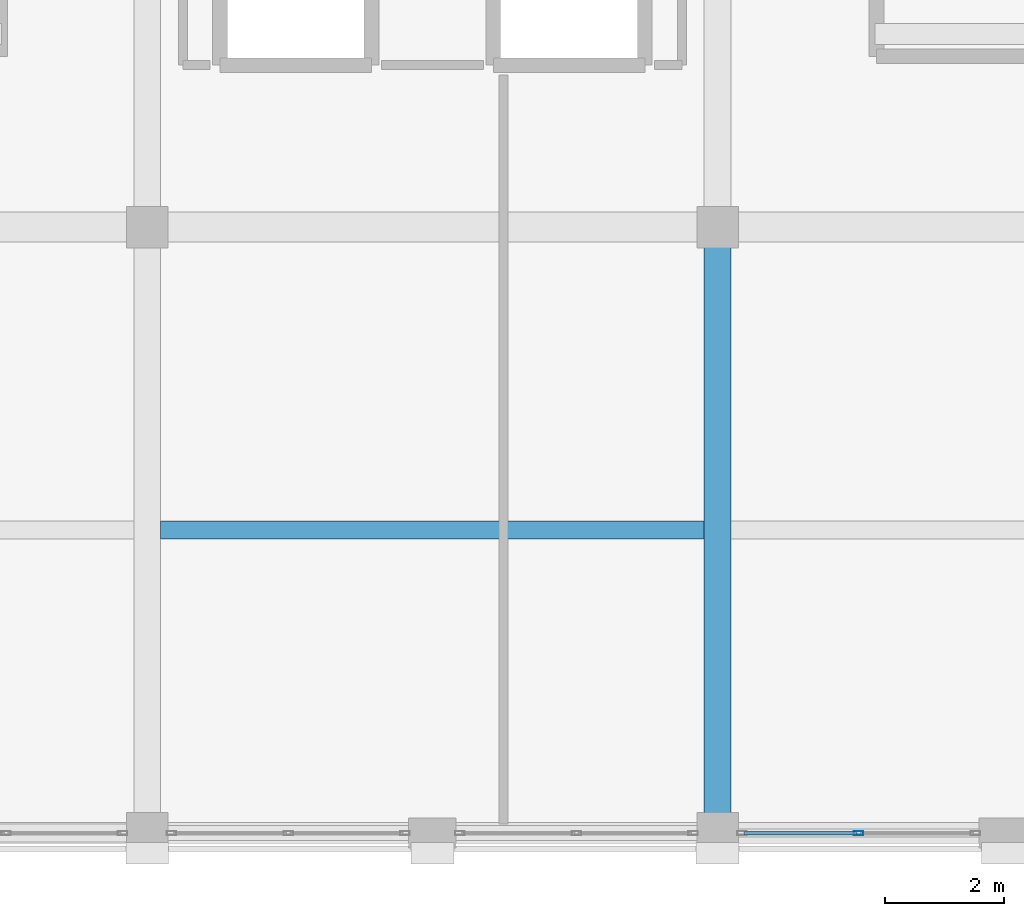
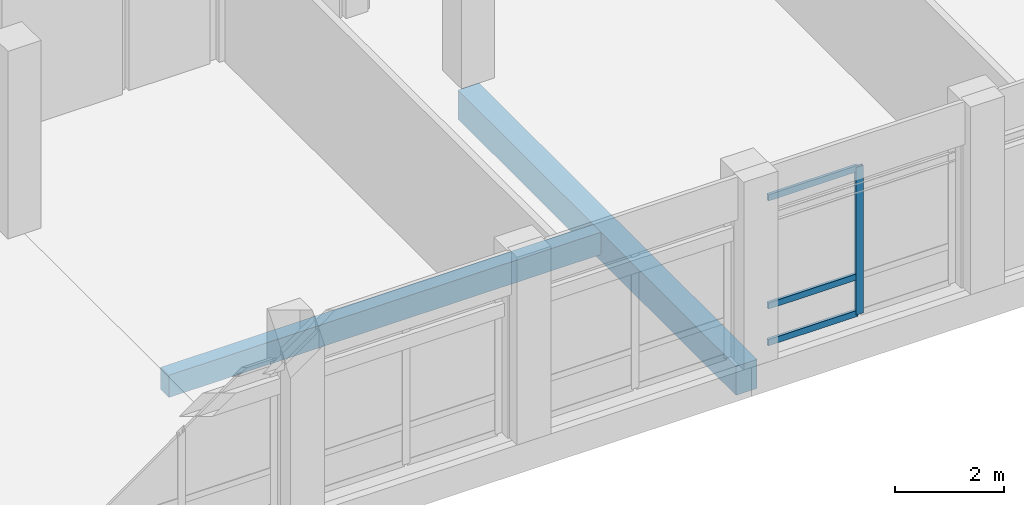
# One storey, part 23 of 185: 4 members, 2 beams, 1 element without a shape of its own.
"""IFC4 building model written with IfcOpenShell, lengths in metres."""

from ifc_helpers import new_model, si_unit, direction, frame, origin, origin_2d, place, context, subcontext, project, spatial, rectangle, hollow_rectangle, extrude, material, material_profile, profile_set, type_object, element, aggregate, save


model = new_model("IFC4")

# Units and contexts
model_context = context("Model", 3, precision=1e-05, world=origin(), true_north=direction((0.0, 1.0)))
body_context = subcontext(model_context, "Body", "Model", "MODEL_VIEW")
ifc_project = project(units=[si_unit("LENGTHUNIT", "METRE"), si_unit("AREAUNIT", "SQUARE_METRE"), si_unit("VOLUMEUNIT", "CUBIC_METRE"), si_unit("PLANEANGLEUNIT", "RADIAN"), si_unit("MASSUNIT", "GRAM", prefix="KILO")], contexts=[model_context])

# Site, building, storey
site_placement = place(None, origin())
site = spatial("IfcSite", under=ifc_project, at=site_placement, CompositionType="ELEMENT")
building_placement = place(site_placement, origin())
building = spatial("IfcBuilding", under=site, at=building_placement, Name="Vondelvale Polytechnic", CompositionType="ELEMENT")
storey_placement = place(building_placement, frame((0.0, 0.0, 9.60009765625)))
storey = spatial("IfcBuildingStorey", under=building, at=storey_placement, Name="L02", CompositionType="ELEMENT", Elevation=9.60009765625)

# Beam
ifc_material_1 = material(Name="Concrete N40 (f'c = 40 MPa)", Category="concrete")
ifc_material_profile_1 = material_profile(ifc_material_1, rectangle(XDim=0.449951171875, YDim=0.64990234375, at=origin_2d()), Name="RC-BM-450x650")
ifc_profile_set_1 = profile_set([ifc_material_profile_1], Name="Concrete N40 (f'c = 40 MPa)")
beam_type_1 = type_object("IfcBeamType", Name="BM-RC450x650", PredefinedType="BEAM", material=ifc_profile_set_1)
beam_1_placement = place(storey_placement, frame((28.800048828125, 0.0, -0.60498046875), z_axis=(0.0, 1.0, 0.0), x_axis=(-1.0, 0.0, 0.0)))
element("IfcBeam", 1, at=beam_1_placement, inside=storey, type_object=beam_type_1, Name="L02 B B-04", PredefinedType="BEAM", context=body_context, shape_type="SweptSolid", body=[
    extrude(rectangle(XDim=0.449951171875, YDim=0.64990234375, at=origin_2d()), origin(), (0.0, 0.0, 1.0), 10.199951171875),
])

# Curtain wall, members
ifc_material_2 = material(Name="Anodised extruded aluminium 6063-T6", Category="aluminium")
curtain_wall_type = type_object("IfcCurtainWallType", Name="CW-LIBRARY-BAY", PredefinedType="NOTDEFINED", material=ifc_material_2)
curtain_wall_placement = place(storey_placement, origin())
curtain_wall = element("IfcCurtainWall", 2, at=curtain_wall_placement, inside=storey, type_object=curtain_wall_type, Name="L02 architectural curtain wall CW-02-016", PredefinedType="NOTDEFINED")
ifc_material_profile_2 = material_profile(ifc_material_2, hollow_rectangle(XDim=0.06494140625, YDim=0.159912109375, WallThickness=0.0048828125, at=origin_2d()), Name="CW-MUL-160x65")
ifc_profile_set_2 = profile_set([ifc_material_profile_2], Name="Anodised extruded aluminium 6063-T6")
member_type_1 = type_object("IfcMemberType", Name="CW-MUL-65x160", PredefinedType="MULLION", material=ifc_profile_set_2)
member_1_placement = place(storey_placement, frame((31.175048828125, 0.0, 0.0), z_axis=(0.0, 0.0, 1.0), x_axis=(0.0, 1.0, 0.0)))
member_1 = element("IfcMember", 3, at=member_1_placement, type_object=member_type_1, Name="CW-02-016 mullion 2", PredefinedType="MULLION", context=body_context, shape_type="SweptSolid", body=[
    extrude(hollow_rectangle(XDim=0.06494140625, YDim=0.159912109375, WallThickness=0.0048828125, at=origin_2d()), origin(), (0.0, 0.0, 1.0), 3.2998046875),
])
ifc_material_profile_3 = material_profile(ifc_material_2, hollow_rectangle(XDim=0.06005859375, YDim=0.139892578125, WallThickness=0.00341796875, at=origin_2d()), Name="CW-TRN-140x60")
ifc_profile_set_3 = profile_set([ifc_material_profile_3], Name="Anodised extruded aluminium 6063-T6")
member_type_2 = type_object("IfcMemberType", Name="CW-TRN-60x140", PredefinedType="USERDEFINED", material=ifc_profile_set_3)
member_2_placement = place(storey_placement, frame((29.2451171875, 0.0, 0.02978515625), z_axis=(1.0, 0.0, 0.0), x_axis=(0.0, 1.0, 0.0)))
member_2 = element("IfcMember", 4, at=member_2_placement, type_object=member_type_2, Name="CW-02-016 transom 1.1", ObjectType="TRANSOM", PredefinedType="USERDEFINED", context=body_context, shape_type="SweptSolid", body=[
    extrude(hollow_rectangle(XDim=0.06005859375, YDim=0.139892578125, WallThickness=0.00341796875, at=origin_2d()), origin(), (0.0, 0.0, 1.0), 1.8974609375),
])
member_3_placement = place(storey_placement, frame((29.2451171875, 0.0, 0.849853515625), z_axis=(1.0, 0.0, 0.0), x_axis=(0.0, 1.0, 0.0)))
member_3 = element("IfcMember", 5, at=member_3_placement, type_object=member_type_2, Name="CW-02-016 transom 1.2", ObjectType="TRANSOM", PredefinedType="USERDEFINED", context=body_context, shape_type="SweptSolid", body=[
    extrude(hollow_rectangle(XDim=0.06005859375, YDim=0.139892578125, WallThickness=0.00341796875, at=origin_2d()), origin(), (0.0, 0.0, 1.0), 1.8974609375),
])
member_4_placement = place(storey_placement, frame((29.2451171875, 0.0, 3.27001953125), z_axis=(1.0, 0.0, 0.0), x_axis=(0.0, 1.0, 0.0)))
member_4 = element("IfcMember", 6, at=member_4_placement, type_object=member_type_2, Name="CW-02-016 transom 1.3", ObjectType="TRANSOM", PredefinedType="USERDEFINED", context=body_context, shape_type="SweptSolid", body=[
    extrude(hollow_rectangle(XDim=0.06005859375, YDim=0.139892578125, WallThickness=0.00341796875, at=origin_2d()), origin(), (0.0, 0.0, 1.0), 1.8974609375),
])
aggregate(curtain_wall, [member_1, member_2, member_3, member_4])

# Beam
ifc_material_profile_4 = material_profile(ifc_material_1, rectangle(XDim=0.300048828125, YDim=0.5, at=origin_2d()), Name="RC-JST-300x500")
ifc_profile_set_4 = profile_set([ifc_material_profile_4], Name="Concrete N40 (f'c = 40 MPa)")
beam_type_2 = type_object("IfcBeamType", Name="JST-RC300x500", PredefinedType="JOIST", material=ifc_profile_set_4)
beam_2_placement = place(storey_placement, frame((19.425048828125, 5.10009765625, -0.530029296875), z_axis=(1.0, 0.0, 0.0), x_axis=(0.0, 1.0, 0.0)))
element("IfcBeam", 7, at=beam_2_placement, inside=storey, type_object=beam_type_2, Name="L02 J J-02", PredefinedType="JOIST", context=body_context, shape_type="SweptSolid", body=[
    extrude(rectangle(XDim=0.300048828125, YDim=0.5, at=origin_2d()), origin(), (0.0, 0.0, 1.0), 9.14990234375),
])

save(model, "model.ifc")
